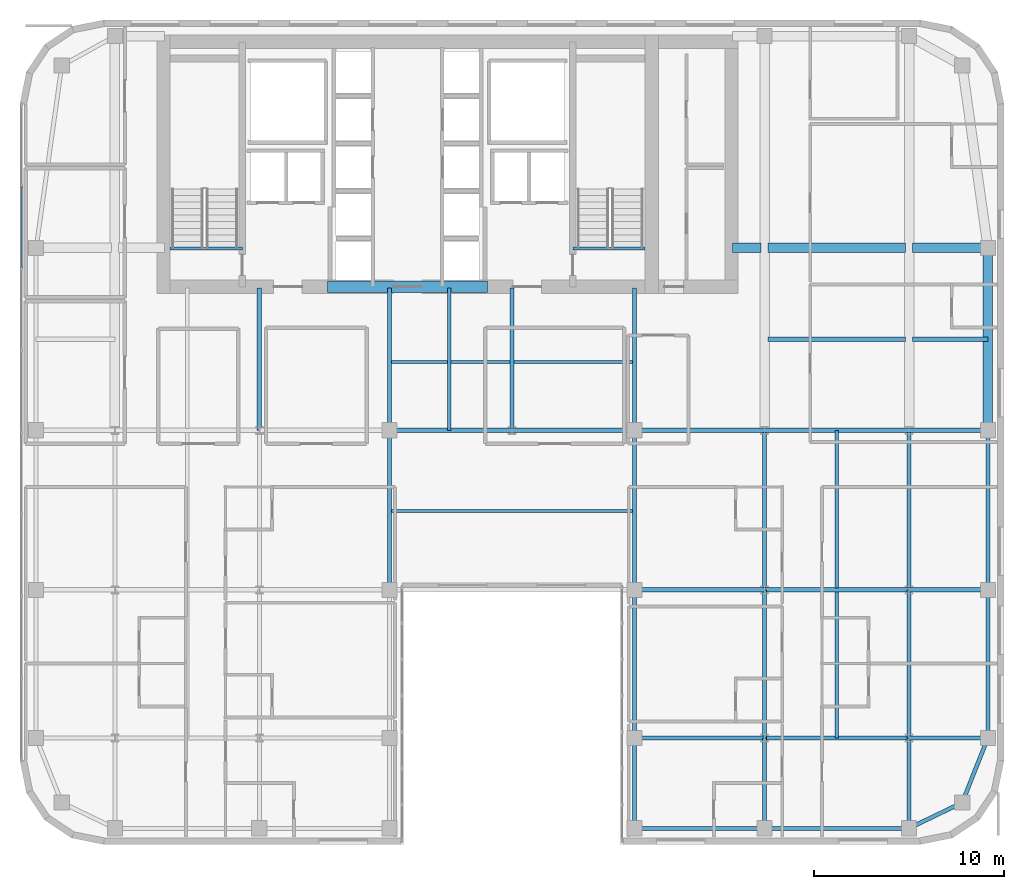
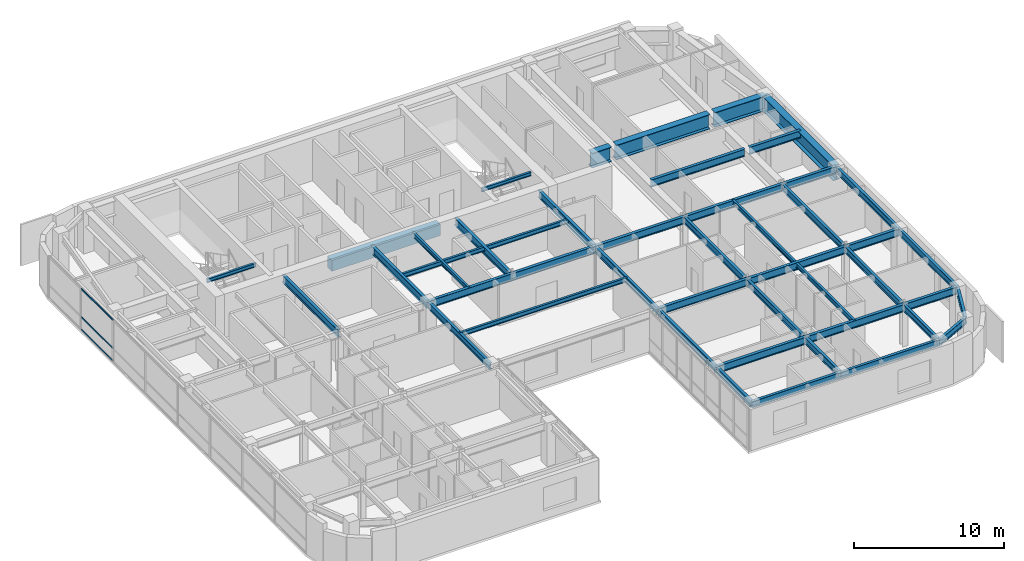
# One storey, part 12 of 24: 45 beams, 3 members, 1 element without a shape of its own.
"""IFC4 building model written with IfcOpenShell, lengths in metres."""

from ifc_helpers import new_model, si_unit, direction, frame, origin, origin_2d, place, context, subcontext, project, spatial, rectangle, hollow_rectangle, i_section, extrude, source, transform, mapped, material, layer, layer_set, material_profile, profile_set, type_object, type_shapes, element, aggregate, save


model = new_model("IFC4")

# Units and contexts
model_context = context("Model", 3, precision=1e-05, world=origin(), true_north=direction((0.0, 1.0)))
body_context = subcontext(model_context, "Body", "Model", "MODEL_VIEW")
ifc_project = project(units=[si_unit("LENGTHUNIT", "METRE"), si_unit("AREAUNIT", "SQUARE_METRE"), si_unit("VOLUMEUNIT", "CUBIC_METRE"), si_unit("PLANEANGLEUNIT", "RADIAN"), si_unit("MASSUNIT", "GRAM", prefix="KILO")], contexts=[model_context])

# Site, building, storey
site_placement = place(None, origin())
site = spatial("IfcSite", under=ifc_project, at=site_placement, CompositionType="ELEMENT")
building_placement = place(site_placement, origin())
building = spatial("IfcBuilding", under=site, at=building_placement, Name="Tolvann Quenvar Hotel", CompositionType="ELEMENT")
storey_placement = place(building_placement, frame((0.0, 0.0, 194.64990234375)))
storey = spatial("IfcBuildingStorey", under=building, at=storey_placement, Name="L51", CompositionType="ELEMENT", Elevation=194.64990234375)

# Beams
ifc_material_1 = material(Name="Concrete N50 (50 MPa)", Category="concrete")
ifc_material_profile_1 = material_profile(ifc_material_1, rectangle(XDim=0.60009765625, YDim=0.89990234375, at=origin_2d()), Name="RC600x900")
ifc_profile_set_1 = profile_set([ifc_material_profile_1], Name="Concrete N50 (50 MPa)")
beam_type_1 = type_object("IfcBeamType", Name="BM_LINT_RC600x900", PredefinedType="LINTEL", material=ifc_profile_set_1)
shared_shape_1 = source(origin(), body_context, "Body", "SweptSolid", [
    extrude(rectangle(XDim=0.60009765625, YDim=0.89990234375, at=origin_2d()), origin(), (0.0, 0.0, 1.0), 8.39990234375),
])
type_shapes(beam_type_1, [shared_shape_1])
beam_1_placement = place(storey_placement, frame((18.800048828125, 31.949951171875, 2.920166015625), z_axis=(1.0, 0.0, 0.0), x_axis=(0.0, 1.0, 0.0)))
element("IfcBeam", 1, at=beam_1_placement, inside=storey, type_object=beam_type_1, Name="Core Coupling Lintel Beam (L51)", PredefinedType="LINTEL", context=body_context, shape_type="MappedRepresentation", body=[
    mapped(shared_shape_1, transform((0.0, 0.0, 0.0), x_axis=(1.0, 0.0, 0.0), y_axis=(0.0, 1.0, 0.0), z_axis=(0.0, 0.0, 1.0), scale=1.0)),
])
ifc_material_2 = material(Name="Steel Grade 350", Category="steel")
ifc_material_profile_2 = material_profile(ifc_material_2, i_section(OverallWidth=0.5, OverallDepth=1.199951171875, WebThickness=0.01611328125, FlangeThickness=0.0400390625, at=origin_2d()), Name="1200WB455")
ifc_profile_set_2 = profile_set([ifc_material_profile_2], Name="Steel Grade 350")
beam_type_2 = type_object("IfcBeamType", Name="BM_TG_1200WB455", PredefinedType="USERDEFINED", material=ifc_profile_set_2)
shared_shape_2 = source(origin(), body_context, "Body", "SweptSolid", [
    extrude(i_section(OverallWidth=0.5, OverallDepth=1.199951171875, WebThickness=0.01611328125, FlangeThickness=0.0400390625, at=origin_2d()), origin(), (0.0, 0.0, 1.0), 9.60009765625),
])
beam_2_placement = place(storey_placement, frame((53.550048828125, 24.39990234375, 2.77001953125), z_axis=(0.0, 1.0, 0.0), x_axis=(-1.0, 0.0, 0.0)))
element("IfcBeam", 2, at=beam_2_placement, inside=storey, type_object=beam_type_2, Name="BM-L51-FLK-E1", ObjectType="TRANSFER GIRDER", PredefinedType="USERDEFINED", context=body_context, shape_type="MappedRepresentation", body=[
    mapped(shared_shape_2, transform((0.0, 0.0, 0.0), x_axis=(1.0, 0.0, 0.0), y_axis=(0.0, 1.0, 0.0), z_axis=(0.0, 0.0, 1.0), scale=1.0)),
])
ifc_material_profile_3 = material_profile(ifc_material_2, i_section(OverallWidth=0.208984375, OverallDepth=0.528076171875, WebThickness=0.009521484375, FlangeThickness=0.01318359375, FilletRadius=0.013916015625, at=origin_2d()), Name="530UB82")
ifc_profile_set_3 = profile_set([ifc_material_profile_3], Name="Steel Grade 350")
beam_type_3 = type_object("IfcBeamType", Name="BM_SPAND_530UB82", PredefinedType="SPANDREL", material=ifc_profile_set_3)
shared_shape_3 = source(origin(), body_context, "Body", "SweptSolid", [
    extrude(i_section(OverallWidth=0.208984375, OverallDepth=0.528076171875, WebThickness=0.009521484375, FlangeThickness=0.01318359375, FilletRadius=0.013916015625, at=origin_2d()), origin(), (0.0, 0.0, 1.0), 7.599853515625),
])
beam_3_placement = place(storey_placement, frame((41.800048828125, 3.449951171875, 3.106201171875), z_axis=(1.0, 0.0, 0.0), x_axis=(0.0, 1.0, 0.0)))
element("IfcBeam", 3, at=beam_3_placement, inside=storey, type_object=beam_type_3, Name="BM-L51-EW-2-H2-I2", PredefinedType="SPANDREL", context=body_context, shape_type="MappedRepresentation", body=[
    mapped(shared_shape_3, transform((0.0, 0.0, 0.0), x_axis=(1.0, 0.0, 0.0), y_axis=(0.0, 1.0, 0.0), z_axis=(0.0, 0.0, 1.0), scale=1.0)),
])
shared_shape_4 = source(origin(), body_context, "Body", "SweptSolid", [
    extrude(i_section(OverallWidth=0.208984375, OverallDepth=0.528076171875, WebThickness=0.009521484375, FlangeThickness=0.01318359375, FilletRadius=0.013916015625, at=origin_2d()), origin(), (0.0, 0.0, 1.0), 6.85009765625),
])
beam_4_placement = place(storey_placement, frame((34.949951171875, 3.449951171875, 3.106201171875), z_axis=(1.0, 0.0, 0.0), x_axis=(0.0, 1.0, 0.0)))
element("IfcBeam", 4, at=beam_4_placement, inside=storey, type_object=beam_type_3, Name="BM-L51-EW-2-F2-H2", PredefinedType="SPANDREL", context=body_context, shape_type="MappedRepresentation", body=[
    mapped(shared_shape_4, transform((0.0, 0.0, 0.0), x_axis=(1.0, 0.0, 0.0), y_axis=(0.0, 1.0, 0.0), z_axis=(0.0, 0.0, 1.0), scale=1.0)),
])
shared_shape_5 = source(origin(), body_context, "Body", "SweptSolid", [
    extrude(i_section(OverallWidth=0.208984375, OverallDepth=0.528076171875, WebThickness=0.009521484375, FlangeThickness=0.01318359375, FilletRadius=0.013916015625, at=origin_2d()), origin(), (0.0, 0.0, 1.0), 7.800048828125),
])
beam_5_placement = place(storey_placement, frame((53.550048828125, 8.199951171875, 3.106201171875), z_axis=(0.0, 1.0, 0.0), x_axis=(-1.0, 0.0, 0.0)))
element("IfcBeam", 5, at=beam_5_placement, inside=storey, type_object=beam_type_3, Name="BM-L51-NS-J3-J4", PredefinedType="SPANDREL", context=body_context, shape_type="MappedRepresentation", body=[
    mapped(shared_shape_5, transform((0.0, 0.0, 0.0), x_axis=(1.0, 0.0, 0.0), y_axis=(0.0, 1.0, 0.0), z_axis=(0.0, 0.0, 1.0), scale=1.0)),
])
shared_shape_6 = source(origin(), body_context, "Body", "SweptSolid", [
    extrude(i_section(OverallWidth=0.208984375, OverallDepth=0.528076171875, WebThickness=0.009521484375, FlangeThickness=0.01318359375, FilletRadius=0.013916015625, at=origin_2d()), origin(), (0.0, 0.0, 1.0), 8.39990234375),
])
beam_6_placement = place(storey_placement, frame((53.550048828125, 16.0, 3.106201171875), z_axis=(0.0, 1.0, 0.0), x_axis=(-1.0, 0.0, 0.0)))
element("IfcBeam", 6, at=beam_6_placement, inside=storey, type_object=beam_type_3, Name="BM-L51-NS-J4-J5", PredefinedType="SPANDREL", context=body_context, shape_type="MappedRepresentation", body=[
    mapped(shared_shape_6, transform((0.0, 0.0, 0.0), x_axis=(1.0, 0.0, 0.0), y_axis=(0.0, 1.0, 0.0), z_axis=(0.0, 0.0, 1.0), scale=1.0)),
])
ifc_material_profile_4 = material_profile(ifc_material_2, i_section(OverallWidth=0.208984375, OverallDepth=0.532958984375, WebThickness=0.01025390625, FlangeThickness=0.015625, FilletRadius=0.013916015625, at=origin_2d()), Name="530UB92")
ifc_profile_set_4 = profile_set([ifc_material_profile_4], Name="Steel Grade 350")
beam_type_4 = type_object("IfcBeamType", Name="BM_GIRD_530UB92", PredefinedType="BEAM", material=ifc_profile_set_4)
shared_shape_7 = source(origin(), body_context, "Body", "SweptSolid", [
    extrude(i_section(OverallWidth=0.208984375, OverallDepth=0.532958984375, WebThickness=0.01025390625, FlangeThickness=0.015625, FilletRadius=0.013916015625, at=origin_2d()), origin(), (0.0, 0.0, 1.0), 7.800048828125),
])
for number, where, z_axis, x_axis, name in (
    (7, (34.949951171875, 8.199951171875, 3.103515625), (0.0, 1.0, 0.0), (-1.0, 0.0, 0.0), "BM-L51-NS-F3-F4"),
    (8, (41.800048828125, 8.199951171875, 3.103515625), (0.0, 1.0, 0.0), (-1.0, 0.0, 0.0), "BM-L51-NS-H3-H4"),
    (9, (49.39990234375, 8.199951171875, 3.103515625), (0.0, 1.0, 0.0), (-1.0, 0.0, 0.0), "BM-L51-NS-I3-I4"),
):
    element("IfcBeam", number, at=place(storey_placement, frame(where, z_axis=z_axis, x_axis=x_axis)), inside=storey, type_object=beam_type_4, Name=name, PredefinedType="BEAM", context=body_context, shape_type="MappedRepresentation", body=[
        mapped(shared_shape_7, transform((0.0, 0.0, 0.0), x_axis=(1.0, 0.0, 0.0), y_axis=(0.0, 1.0, 0.0), z_axis=(0.0, 0.0, 1.0), scale=1.0)),
    ])
shared_shape_8 = source(origin(), body_context, "Body", "SweptSolid", [
    extrude(i_section(OverallWidth=0.208984375, OverallDepth=0.532958984375, WebThickness=0.01025390625, FlangeThickness=0.015625, FilletRadius=0.013916015625, at=origin_2d()), origin(), (0.0, 0.0, 1.0), 8.39990234375),
])
for number, where, z_axis, x_axis, name in (
    (10, (22.050048828125, 16.0, 3.103515625), (0.0, 1.0, 0.0), (-1.0, 0.0, 0.0), "BM-L51-NS-E4-E5"),
    (11, (34.949951171875, 16.0, 3.103515625), (0.0, 1.0, 0.0), (-1.0, 0.0, 0.0), "BM-L51-NS-F4-F5"),
    (12, (41.800048828125, 16.0, 3.103515625), (0.0, 1.0, 0.0), (-1.0, 0.0, 0.0), "BM-L51-NS-H4-H5"),
    (13, (49.39990234375, 16.0, 3.103515625), (0.0, 1.0, 0.0), (-1.0, 0.0, 0.0), "BM-L51-NS-I4-I5"),
):
    element("IfcBeam", number, at=place(storey_placement, frame(where, z_axis=z_axis, x_axis=x_axis)), inside=storey, type_object=beam_type_4, Name=name, PredefinedType="BEAM", context=body_context, shape_type="MappedRepresentation", body=[
        mapped(shared_shape_8, transform((0.0, 0.0, 0.0), x_axis=(1.0, 0.0, 0.0), y_axis=(0.0, 1.0, 0.0), z_axis=(0.0, 0.0, 1.0), scale=1.0)),
    ])
shared_shape_9 = source(origin(), body_context, "Body", "SweptSolid", [
    extrude(i_section(OverallWidth=0.5, OverallDepth=1.199951171875, WebThickness=0.01611328125, FlangeThickness=0.0400390625, at=origin_2d()), origin(), (0.0, 0.0, 1.0), 1.52001953125),
])
beam_7_placement = place(storey_placement, frame((40.10009765625, 34.0, 2.77001953125), z_axis=(1.0, 0.0, 0.0), x_axis=(0.0, 1.0, 0.0)))
element("IfcBeam", 14, at=beam_7_placement, inside=storey, type_object=beam_type_2, Name="BM-L51-CTE-JD6A", ObjectType="TRANSFER GIRDER", PredefinedType="USERDEFINED", context=body_context, shape_type="MappedRepresentation", body=[
    mapped(shared_shape_9, transform((0.0, 0.0, 0.0), x_axis=(1.0, 0.0, 0.0), y_axis=(0.0, 1.0, 0.0), z_axis=(0.0, 0.0, 1.0), scale=1.0)),
])
shared_shape_10 = source(origin(), body_context, "Body", "SweptSolid", [
    extrude(i_section(OverallWidth=0.5, OverallDepth=1.199951171875, WebThickness=0.01611328125, FlangeThickness=0.0400390625, at=origin_2d()), origin(), (0.0, 0.0, 1.0), 7.239990234375),
])
beam_8_placement = place(storey_placement, frame((41.97998046875, 34.0, 2.77001953125), z_axis=(1.0, 0.0, 0.0), x_axis=(0.0, 1.0, 0.0)))
element("IfcBeam", 15, at=beam_8_placement, inside=storey, type_object=beam_type_2, Name="BM-L51-CTE-JD6B", ObjectType="TRANSFER GIRDER", PredefinedType="USERDEFINED", context=body_context, shape_type="MappedRepresentation", body=[
    mapped(shared_shape_10, transform((0.0, 0.0, 0.0), x_axis=(1.0, 0.0, 0.0), y_axis=(0.0, 1.0, 0.0), z_axis=(0.0, 0.0, 1.0), scale=1.0)),
])
ifc_material_profile_5 = material_profile(ifc_material_2, i_section(OverallWidth=0.166015625, OverallDepth=0.306884765625, WebThickness=0.006591796875, FlangeThickness=0.01171875, FilletRadius=0.011474609375, at=origin_2d()), Name="310UB46")
ifc_profile_set_5 = profile_set([ifc_material_profile_5], Name="Steel Grade 350")
beam_type_5 = type_object("IfcBeamType", Name="BM_JOIST_310UB46", PredefinedType="JOIST", material=ifc_profile_set_5)
shared_shape_11 = source(origin(), body_context, "Body", "SweptSolid", [
    extrude(i_section(OverallWidth=0.166015625, OverallDepth=0.306884765625, WebThickness=0.006591796875, FlangeThickness=0.01171875, FilletRadius=0.011474609375, at=origin_2d()), origin(), (0.0, 0.0, 1.0), 3.800048828125),
])
type_shapes(beam_type_5, [shared_shape_11])
for number, where, z_axis, x_axis, name in (
    (16, (10.5, 33.97998046875, 3.216552734375), (1.0, 0.0, 0.0), (0.0, 1.0, 0.0), "BM-HDR-STC1-L52"),
    (17, (31.699951171875, 33.97998046875, 3.216552734375), (1.0, 0.0, 0.0), (0.0, 1.0, 0.0), "BM-HDR-STC2-L52"),
):
    element("IfcBeam", number, at=place(storey_placement, frame(where, z_axis=z_axis, x_axis=x_axis)), inside=storey, type_object=beam_type_5, Name=name, PredefinedType="JOIST", context=body_context, shape_type="MappedRepresentation", body=[
        mapped(shared_shape_11, transform((0.0, 0.0, 0.0), x_axis=(1.0, 0.0, 0.0), y_axis=(0.0, 1.0, 0.0), z_axis=(0.0, 0.0, 1.0), scale=1.0)),
    ])
shared_shape_12 = source(origin(), body_context, "Body", "SweptSolid", [
    extrude(i_section(OverallWidth=0.5, OverallDepth=1.199951171875, WebThickness=0.01611328125, FlangeThickness=0.0400390625, at=origin_2d()), origin(), (0.0, 0.0, 1.0), 3.969970703125),
])
type_shapes(beam_type_2, [shared_shape_2, shared_shape_9, shared_shape_10, shared_shape_12])
beam_9_placement = place(storey_placement, frame((49.580078125, 34.0, 2.77001953125), z_axis=(1.0, 0.0, 0.0), x_axis=(0.0, 1.0, 0.0)))
element("IfcBeam", 18, at=beam_9_placement, inside=storey, type_object=beam_type_2, Name="BM-L51-CTE-JD6C", ObjectType="TRANSFER GIRDER", PredefinedType="USERDEFINED", context=body_context, shape_type="MappedRepresentation", body=[
    mapped(shared_shape_12, transform((0.0, 0.0, 0.0), x_axis=(1.0, 0.0, 0.0), y_axis=(0.0, 1.0, 0.0), z_axis=(0.0, 0.0, 1.0), scale=1.0)),
])
ifc_material_profile_6 = material_profile(ifc_material_2, i_section(OverallWidth=0.172119140625, OverallDepth=0.35888671875, WebThickness=0.008056640625, FlangeThickness=0.012939453125, FilletRadius=0.011474609375, at=origin_2d()), Name="360UB57")
ifc_profile_set_6 = profile_set([ifc_material_profile_6], Name="Steel Grade 350")
beam_type_6 = type_object("IfcBeamType", Name="BM_JOIST_360UB57", PredefinedType="JOIST", material=ifc_profile_set_6)
shared_shape_13 = source(origin(), body_context, "Body", "SweptSolid", [
    extrude(i_section(OverallWidth=0.172119140625, OverallDepth=0.35888671875, WebThickness=0.008056640625, FlangeThickness=0.012939453125, FilletRadius=0.011474609375, at=origin_2d()), origin(), (0.0, 0.0, 1.0), 12.89990234375),
])
for number, where, z_axis, x_axis, name in (
    (19, (22.050048828125, 20.14990234375, 3.190673828125), (1.0, 0.0, 0.0), (0.0, 1.0, 0.0), "BM-L51-SPINE-20"),
    (20, (22.050048828125, 28.0, 3.190673828125), (1.0, 0.0, 0.0), (0.0, 1.0, 0.0), "BM-L51-SPINE-28"),
):
    element("IfcBeam", number, at=place(storey_placement, frame(where, z_axis=z_axis, x_axis=x_axis)), inside=storey, type_object=beam_type_6, Name=name, PredefinedType="JOIST", context=body_context, shape_type="MappedRepresentation", body=[
        mapped(shared_shape_13, transform((0.0, 0.0, 0.0), x_axis=(1.0, 0.0, 0.0), y_axis=(0.0, 1.0, 0.0), z_axis=(0.0, 0.0, 1.0), scale=1.0)),
    ])
shared_shape_14 = source(origin(), body_context, "Body", "SweptSolid", [
    extrude(i_section(OverallWidth=0.172119140625, OverallDepth=0.35888671875, WebThickness=0.008056640625, FlangeThickness=0.012939453125, FilletRadius=0.011474609375, at=origin_2d()), origin(), (0.0, 0.0, 1.0), 7.5),
])
beam_10_placement = place(storey_placement, frame((25.199951171875, 24.39990234375, 3.190673828125), z_axis=(0.0, 1.0, 0.0), x_axis=(-1.0, 0.0, 0.0)))
element("IfcBeam", 21, at=beam_10_placement, inside=storey, type_object=beam_type_6, Name="BJ-L51-252-244", PredefinedType="JOIST", context=body_context, shape_type="MappedRepresentation", body=[
    mapped(shared_shape_14, transform((0.0, 0.0, 0.0), x_axis=(1.0, 0.0, 0.0), y_axis=(0.0, 1.0, 0.0), z_axis=(0.0, 0.0, 1.0), scale=1.0)),
])
shared_shape_15 = source(origin(), body_context, "Body", "SweptSolid", [
    extrude(i_section(OverallWidth=0.208984375, OverallDepth=0.528076171875, WebThickness=0.009521484375, FlangeThickness=0.01318359375, FilletRadius=0.013916015625, at=origin_2d()), origin(), (0.0, 0.0, 1.0), 3.108642578125),
])
beam_11_placement = place(storey_placement, frame((49.39990234375, 3.449951171875, 3.106201171875), z_axis=(0.900759354066, 0.434318530646, 0.0), x_axis=(-0.434318530646, 0.900759354066, 0.0)))
element("IfcBeam", 22, at=beam_11_placement, inside=storey, type_object=beam_type_3, Name="BM-L51-EW-2-I2-J2", PredefinedType="SPANDREL", context=body_context, shape_type="MappedRepresentation", body=[
    mapped(shared_shape_15, transform((0.0, 0.0, 0.0), x_axis=(1.0, 0.0, 0.0), y_axis=(0.0, 1.0, 0.0), z_axis=(0.0, 0.0, 1.0), scale=1.0)),
])
ifc_material_profile_7 = material_profile(ifc_material_2, i_section(OverallWidth=0.22802734375, OverallDepth=0.60205078125, WebThickness=0.010498046875, FlangeThickness=0.014892578125, FilletRadius=0.013916015625, at=origin_2d()), Name="610UB101")
ifc_profile_set_7 = profile_set([ifc_material_profile_7], Name="Steel Grade 350")
beam_type_7 = type_object("IfcBeamType", Name="BM_GIRD_610UB101", PredefinedType="BEAM", material=ifc_profile_set_7)
shared_shape_16 = source(origin(), body_context, "Body", "SweptSolid", [
    extrude(i_section(OverallWidth=0.22802734375, OverallDepth=0.60205078125, WebThickness=0.010498046875, FlangeThickness=0.014892578125, FilletRadius=0.013916015625, at=origin_2d()), origin(), (0.0, 0.0, 1.0), 4.150146484375),
])
for number, where, z_axis, x_axis, name in (
    (23, (49.39990234375, 8.199951171875, 3.069091796875), (1.0, 0.0, 0.0), (0.0, 1.0, 0.0), "BM-L51-EW-3-I3-J3"),
    (24, (49.39990234375, 16.0, 3.069091796875), (1.0, 0.0, 0.0), (0.0, 1.0, 0.0), "BM-L51-EW-4-I4-J4"),
    (25, (49.39990234375, 24.39990234375, 3.069091796875), (1.0, 0.0, 0.0), (0.0, 1.0, 0.0), "BM-L51-EW-5-I5-J5"),
):
    element("IfcBeam", number, at=place(storey_placement, frame(where, z_axis=z_axis, x_axis=x_axis)), inside=storey, type_object=beam_type_7, Name=name, PredefinedType="BEAM", context=body_context, shape_type="MappedRepresentation", body=[
        mapped(shared_shape_16, transform((0.0, 0.0, 0.0), x_axis=(1.0, 0.0, 0.0), y_axis=(0.0, 1.0, 0.0), z_axis=(0.0, 0.0, 1.0), scale=1.0)),
    ])
shared_shape_17 = source(origin(), body_context, "Body", "SweptSolid", [
    extrude(i_section(OverallWidth=0.22802734375, OverallDepth=0.60205078125, WebThickness=0.010498046875, FlangeThickness=0.014892578125, FilletRadius=0.013916015625, at=origin_2d()), origin(), (0.0, 0.0, 1.0), 7.599853515625),
])
for number, where, z_axis, x_axis, name in (
    (26, (41.800048828125, 8.199951171875, 3.069091796875), (1.0, 0.0, 0.0), (0.0, 1.0, 0.0), "BM-L51-EW-3-H3-I3"),
    (27, (41.800048828125, 16.0, 3.069091796875), (1.0, 0.0, 0.0), (0.0, 1.0, 0.0), "BM-L51-EW-4-H4-I4"),
    (28, (41.800048828125, 24.39990234375, 3.069091796875), (1.0, 0.0, 0.0), (0.0, 1.0, 0.0), "BM-L51-EW-5-H5-I5"),
):
    element("IfcBeam", number, at=place(storey_placement, frame(where, z_axis=z_axis, x_axis=x_axis)), inside=storey, type_object=beam_type_7, Name=name, PredefinedType="BEAM", context=body_context, shape_type="MappedRepresentation", body=[
        mapped(shared_shape_17, transform((0.0, 0.0, 0.0), x_axis=(1.0, 0.0, 0.0), y_axis=(0.0, 1.0, 0.0), z_axis=(0.0, 0.0, 1.0), scale=1.0)),
    ])
shared_shape_18 = source(origin(), body_context, "Body", "SweptSolid", [
    extrude(i_section(OverallWidth=0.22802734375, OverallDepth=0.60205078125, WebThickness=0.010498046875, FlangeThickness=0.014892578125, FilletRadius=0.013916015625, at=origin_2d()), origin(), (0.0, 0.0, 1.0), 6.85009765625),
])
for number, where, z_axis, x_axis, name in (
    (29, (34.949951171875, 8.199951171875, 3.069091796875), (1.0, 0.0, 0.0), (0.0, 1.0, 0.0), "BM-L51-EW-3-F3-H3"),
    (30, (34.949951171875, 16.0, 3.069091796875), (1.0, 0.0, 0.0), (0.0, 1.0, 0.0), "BM-L51-EW-4-F4-H4"),
    (31, (34.949951171875, 24.39990234375, 3.069091796875), (1.0, 0.0, 0.0), (0.0, 1.0, 0.0), "BM-L51-EW-5-F5-H5"),
):
    element("IfcBeam", number, at=place(storey_placement, frame(where, z_axis=z_axis, x_axis=x_axis)), inside=storey, type_object=beam_type_7, Name=name, PredefinedType="BEAM", context=body_context, shape_type="MappedRepresentation", body=[
        mapped(shared_shape_18, transform((0.0, 0.0, 0.0), x_axis=(1.0, 0.0, 0.0), y_axis=(0.0, 1.0, 0.0), z_axis=(0.0, 0.0, 1.0), scale=1.0)),
    ])
shared_shape_19 = source(origin(), body_context, "Body", "SweptSolid", [
    extrude(i_section(OverallWidth=0.22802734375, OverallDepth=0.60205078125, WebThickness=0.010498046875, FlangeThickness=0.014892578125, FilletRadius=0.013916015625, at=origin_2d()), origin(), (0.0, 0.0, 1.0), 6.449951171875),
])
for number, where, z_axis, x_axis, name in (
    (32, (22.050048828125, 24.39990234375, 3.069091796875), (1.0, 0.0, 0.0), (0.0, 1.0, 0.0), "BM-L51-EW-5-E5-M5"),
    (33, (28.5, 24.39990234375, 3.069091796875), (1.0, 0.0, 0.0), (0.0, 1.0, 0.0), "BM-L51-EW-5-M5-F5"),
):
    element("IfcBeam", number, at=place(storey_placement, frame(where, z_axis=z_axis, x_axis=x_axis)), inside=storey, type_object=beam_type_7, Name=name, PredefinedType="BEAM", context=body_context, shape_type="MappedRepresentation", body=[
        mapped(shared_shape_19, transform((0.0, 0.0, 0.0), x_axis=(1.0, 0.0, 0.0), y_axis=(0.0, 1.0, 0.0), z_axis=(0.0, 0.0, 1.0), scale=1.0)),
    ])
shared_shape_20 = source(origin(), body_context, "Body", "SweptSolid", [
    extrude(i_section(OverallWidth=0.208984375, OverallDepth=0.528076171875, WebThickness=0.009521484375, FlangeThickness=0.01318359375, FilletRadius=0.013916015625, at=origin_2d()), origin(), (0.0, 0.0, 1.0), 3.658203125),
])
type_shapes(beam_type_3, [shared_shape_3, shared_shape_4, shared_shape_5, shared_shape_6, shared_shape_15, shared_shape_20])
beam_12_placement = place(storey_placement, frame((52.199951171875, 4.800048828125, 3.106201171875), z_axis=(0.369065163807, 0.929403521009, 0.0), x_axis=(-0.929403521009, 0.369065163807, 0.0)))
element("IfcBeam", 34, at=beam_12_placement, inside=storey, type_object=beam_type_3, Name="BM-L51-NS-J2-J3", PredefinedType="SPANDREL", context=body_context, shape_type="MappedRepresentation", body=[
    mapped(shared_shape_20, transform((0.0, 0.0, 0.0), x_axis=(1.0, 0.0, 0.0), y_axis=(0.0, 1.0, 0.0), z_axis=(0.0, 0.0, 1.0), scale=1.0)),
])
shared_shape_21 = source(origin(), body_context, "Body", "SweptSolid", [
    extrude(i_section(OverallWidth=0.208984375, OverallDepth=0.532958984375, WebThickness=0.01025390625, FlangeThickness=0.015625, FilletRadius=0.013916015625, at=origin_2d()), origin(), (0.0, 0.0, 1.0), 4.75),
])
type_shapes(beam_type_4, [shared_shape_7, shared_shape_8, shared_shape_21])
for number, where, z_axis, x_axis, name in (
    (35, (34.949951171875, 3.449951171875, 3.103515625), (0.0, 1.0, 0.0), (-1.0, 0.0, 0.0), "BM-L51-NS-F2-F3"),
    (36, (41.800048828125, 3.449951171875, 3.103515625), (0.0, 1.0, 0.0), (-1.0, 0.0, 0.0), "BM-L51-NS-H2-H3"),
    (37, (49.39990234375, 3.449951171875, 3.103515625), (0.0, 1.0, 0.0), (-1.0, 0.0, 0.0), "BM-L51-NS-I2-I3"),
):
    element("IfcBeam", number, at=place(storey_placement, frame(where, z_axis=z_axis, x_axis=x_axis)), inside=storey, type_object=beam_type_4, Name=name, PredefinedType="BEAM", context=body_context, shape_type="MappedRepresentation", body=[
        mapped(shared_shape_21, transform((0.0, 0.0, 0.0), x_axis=(1.0, 0.0, 0.0), y_axis=(0.0, 1.0, 0.0), z_axis=(0.0, 0.0, 1.0), scale=1.0)),
    ])
shared_shape_22 = source(origin(), body_context, "Body", "SweptSolid", [
    extrude(i_section(OverallWidth=0.22802734375, OverallDepth=0.60205078125, WebThickness=0.010498046875, FlangeThickness=0.014892578125, FilletRadius=0.013916015625, at=origin_2d()), origin(), (0.0, 0.0, 1.0), 7.5),
])
for number, where, z_axis, x_axis, name in (
    (38, (15.199951171875, 24.39990234375, 3.069091796875), (0.0, 1.0, 0.0), (-1.0, 0.0, 0.0), "BM-L51-CORE-D5"),
    (39, (22.050048828125, 24.39990234375, 3.069091796875), (0.0, 1.0, 0.0), (-1.0, 0.0, 0.0), "BM-L51-CORE-E5"),
    (40, (34.949951171875, 24.39990234375, 3.069091796875), (0.0, 1.0, 0.0), (-1.0, 0.0, 0.0), "BM-L51-CORE-F5"),
    (41, (28.5, 24.39990234375, 3.069091796875), (0.0, 1.0, 0.0), (-1.0, 0.0, 0.0), "BM-L51-CORE-M5"),
):
    element("IfcBeam", number, at=place(storey_placement, frame(where, z_axis=z_axis, x_axis=x_axis)), inside=storey, type_object=beam_type_7, Name=name, PredefinedType="BEAM", context=body_context, shape_type="MappedRepresentation", body=[
        mapped(shared_shape_22, transform((0.0, 0.0, 0.0), x_axis=(1.0, 0.0, 0.0), y_axis=(0.0, 1.0, 0.0), z_axis=(0.0, 0.0, 1.0), scale=1.0)),
    ])
shared_shape_23 = source(origin(), body_context, "Body", "SweptSolid", [
    extrude(i_section(OverallWidth=0.22802734375, OverallDepth=0.60205078125, WebThickness=0.010498046875, FlangeThickness=0.014892578125, FilletRadius=0.013916015625, at=origin_2d()), origin(), (0.0, 0.0, 1.0), 7.239990234375),
])
beam_13_placement = place(storey_placement, frame((41.97998046875, 29.199951171875, 3.069091796875), z_axis=(1.0, 0.0, 0.0), x_axis=(0.0, 1.0, 0.0)))
element("IfcBeam", 42, at=beam_13_placement, inside=storey, type_object=beam_type_7, Name="BM-L51-EW-HI29", PredefinedType="BEAM", context=body_context, shape_type="MappedRepresentation", body=[
    mapped(shared_shape_23, transform((0.0, 0.0, 0.0), x_axis=(1.0, 0.0, 0.0), y_axis=(0.0, 1.0, 0.0), z_axis=(0.0, 0.0, 1.0), scale=1.0)),
])
shared_shape_24 = source(origin(), body_context, "Body", "SweptSolid", [
    extrude(i_section(OverallWidth=0.22802734375, OverallDepth=0.60205078125, WebThickness=0.010498046875, FlangeThickness=0.014892578125, FilletRadius=0.013916015625, at=origin_2d()), origin(), (0.0, 0.0, 1.0), 3.969970703125),
])
type_shapes(beam_type_7, [shared_shape_16, shared_shape_17, shared_shape_18, shared_shape_19, shared_shape_22, shared_shape_23, shared_shape_24])
beam_14_placement = place(storey_placement, frame((49.580078125, 29.199951171875, 3.069091796875), z_axis=(1.0, 0.0, 0.0), x_axis=(0.0, 1.0, 0.0)))
element("IfcBeam", 43, at=beam_14_placement, inside=storey, type_object=beam_type_7, Name="BM-L51-EW-IJ29", PredefinedType="BEAM", context=body_context, shape_type="MappedRepresentation", body=[
    mapped(shared_shape_24, transform((0.0, 0.0, 0.0), x_axis=(1.0, 0.0, 0.0), y_axis=(0.0, 1.0, 0.0), z_axis=(0.0, 0.0, 1.0), scale=1.0)),
])
shared_shape_25 = source(origin(), body_context, "Body", "SweptSolid", [
    extrude(i_section(OverallWidth=0.172119140625, OverallDepth=0.35888671875, WebThickness=0.008056640625, FlangeThickness=0.012939453125, FilletRadius=0.011474609375, at=origin_2d()), origin(), (0.0, 0.0, 1.0), 7.692138671875),
])
beam_15_placement = place(storey_placement, frame((45.60009765625, 8.199951171875, 3.190673828125), z_axis=(0.0, 1.0, 0.0), x_axis=(-1.0, 0.0, 0.0)))
element("IfcBeam", 44, at=beam_15_placement, inside=storey, type_object=beam_type_6, Name="BJ-L51-456-82", PredefinedType="JOIST", context=body_context, shape_type="MappedRepresentation", body=[
    mapped(shared_shape_25, transform((0.0, 0.0, 0.0), x_axis=(1.0, 0.0, 0.0), y_axis=(0.0, 1.0, 0.0), z_axis=(0.0, 0.0, 1.0), scale=1.0)),
])
shared_shape_26 = source(origin(), body_context, "Body", "SweptSolid", [
    extrude(i_section(OverallWidth=0.172119140625, OverallDepth=0.35888671875, WebThickness=0.008056640625, FlangeThickness=0.012939453125, FilletRadius=0.011474609375, at=origin_2d()), origin(), (0.0, 0.0, 1.0), 8.2919921875),
])
type_shapes(beam_type_6, [shared_shape_13, shared_shape_14, shared_shape_25, shared_shape_26])
beam_16_placement = place(storey_placement, frame((45.60009765625, 16.10791015625, 3.190673828125), z_axis=(0.0, 1.0, 0.0), x_axis=(-1.0, 0.0, 0.0)))
element("IfcBeam", 45, at=beam_16_placement, inside=storey, type_object=beam_type_6, Name="BJ-L51-456-160", PredefinedType="JOIST", context=body_context, shape_type="MappedRepresentation", body=[
    mapped(shared_shape_26, transform((0.0, 0.0, 0.0), x_axis=(1.0, 0.0, 0.0), y_axis=(0.0, 1.0, 0.0), z_axis=(0.0, 0.0, 1.0), scale=1.0)),
])

# Curtain wall, members
ifc_material_3 = material(Name="Thermally broken anodised architectural aluminium 6063-T6 and laminated low-E glass", Category="aluminium")
ifc_layer = layer(ifc_material_3, 0.179931640625)
ifc_layer_set = layer_set([ifc_layer], Name="Thermally broken anodised architectural aluminium 6063-T6 and laminated low-E glass")
curtain_wall_type = type_object("IfcCurtainWallType", Name="CW_SYS_BAND_04", PredefinedType="USERDEFINED", material=ifc_layer_set)
curtain_wall_placement = place(storey_placement, origin())
curtain_wall = element("IfcCurtainWall", 46, at=curtain_wall_placement, inside=storey, type_object=curtain_wall_type, Name="Curtain Wall CW-BAND-04 (CWR-L51-E23)", ObjectType="UNITISED CURTAIN WALL", PredefinedType="USERDEFINED")
ifc_material_4 = material(Name="Anodised architectural aluminium 6063-T6 framing", Category="aluminium")
ifc_material_profile_8 = material_profile(ifc_material_4, hollow_rectangle(XDim=0.06005859375, YDim=0.1201171875, WallThickness=0.00341796875, at=origin_2d()), Name="120x60x3.5RHS")
ifc_profile_set_8 = profile_set([ifc_material_profile_8], Name="Anodised architectural aluminium 6063-T6 framing")
member_type = type_object("IfcMemberType", Name="CW_TRAN_120x60", PredefinedType="USERDEFINED", material=ifc_profile_set_8)
shared_shape_27 = source(origin(), body_context, "Body", "SweptSolid", [
    extrude(hollow_rectangle(XDim=0.06005859375, YDim=0.1201171875, WallThickness=0.00341796875, at=origin_2d()), origin(), (0.0, 0.0, 1.0), 4.250732421875),
])
type_shapes(member_type, [shared_shape_27])
member_1_placement = place(storey_placement, frame((2.68994140625, 37.22705078125, 0.030029296875), z_axis=(0.0, -1.0, 0.0), x_axis=(1.0, 0.0, 0.0)))
member_1 = element("IfcMember", 47, at=member_1_placement, type_object=member_type, Name="CW-BAND-04 transom 2.1", ObjectType="TRANSOM", PredefinedType="USERDEFINED", context=body_context, shape_type="MappedRepresentation", body=[
    mapped(shared_shape_27, transform((0.0, 0.0, 0.0), x_axis=(1.0, 0.0, 0.0), y_axis=(0.0, 1.0, 0.0), z_axis=(0.0, 0.0, 1.0), scale=1.0)),
])
member_2_placement = place(storey_placement, frame((2.68994140625, 37.22705078125, 1.050048828125), z_axis=(0.0, -1.0, 0.0), x_axis=(1.0, 0.0, 0.0)))
member_2 = element("IfcMember", 48, at=member_2_placement, type_object=member_type, Name="CW-BAND-04 transom 2.2", ObjectType="TRANSOM", PredefinedType="USERDEFINED", context=body_context, shape_type="MappedRepresentation", body=[
    mapped(shared_shape_27, transform((0.0, 0.0, 0.0), x_axis=(1.0, 0.0, 0.0), y_axis=(0.0, 1.0, 0.0), z_axis=(0.0, 0.0, 1.0), scale=1.0)),
])
member_3_placement = place(storey_placement, frame((2.68994140625, 37.22705078125, 3.340087890625), z_axis=(0.0, -1.0, 0.0), x_axis=(1.0, 0.0, 0.0)))
member_3 = element("IfcMember", 49, at=member_3_placement, type_object=member_type, Name="CW-BAND-04 transom 2.3", ObjectType="TRANSOM", PredefinedType="USERDEFINED", context=body_context, shape_type="MappedRepresentation", body=[
    mapped(shared_shape_27, transform((0.0, 0.0, 0.0), x_axis=(1.0, 0.0, 0.0), y_axis=(0.0, 1.0, 0.0), z_axis=(0.0, 0.0, 1.0), scale=1.0)),
])
aggregate(curtain_wall, [member_1, member_2, member_3])

save(model, "model.ifc")
